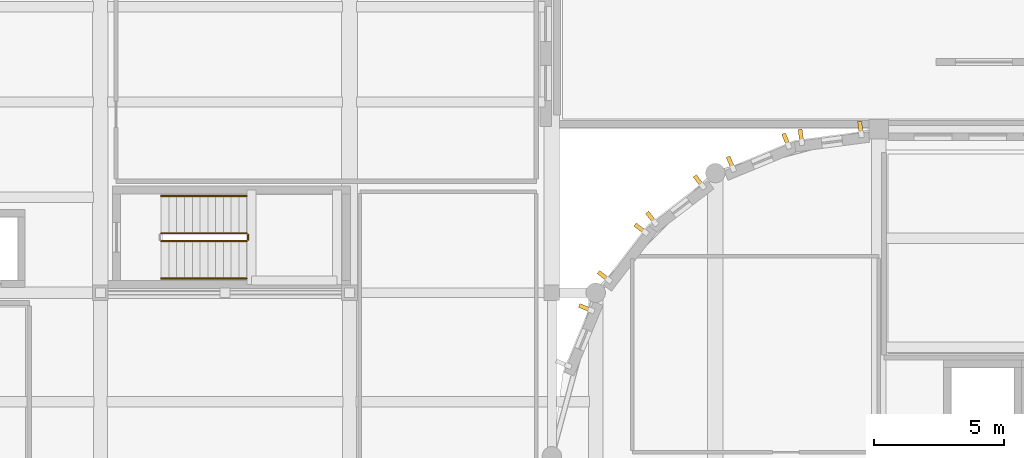
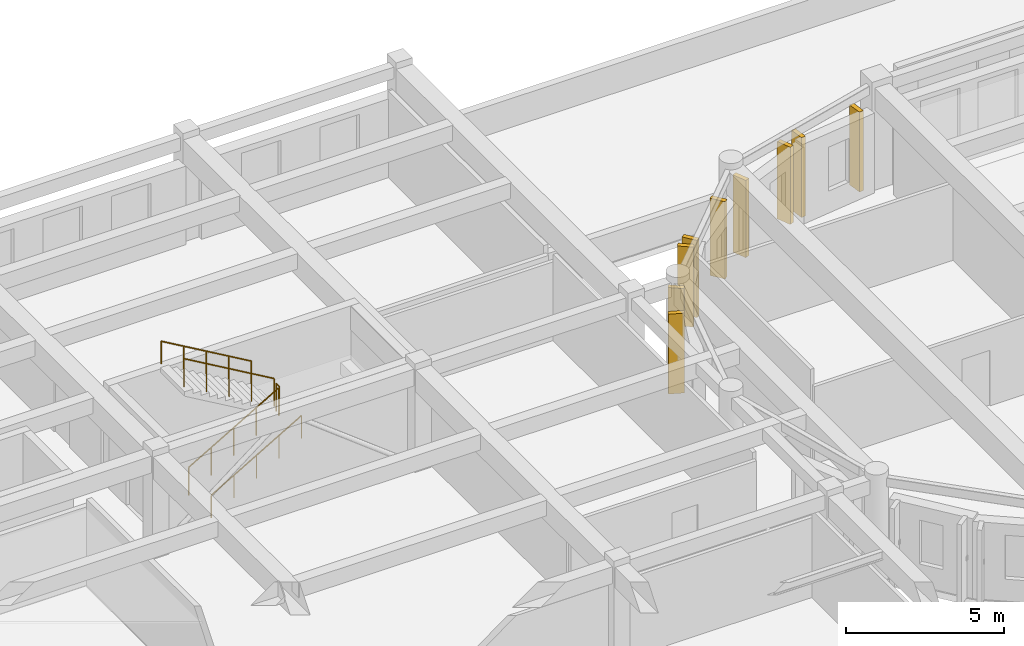
# One storey, part 40 of 46: 9 coverings, 5 railings.
"""IFC4 building model written with IfcOpenShell, lengths in metres."""

from ifc_helpers import new_model, si_unit, direction, frame, origin, origin_2d, place, context, subcontext, project, spatial, rectangle, circle, extrude, material, layer, layer_set, type_object, element, save


model = new_model("IFC4")

# Units and contexts
model_context = context("Model", 3, precision=1e-05, world=origin(), true_north=direction((0.0, 1.0)))
body_context = subcontext(model_context, "Body", "Model", "MODEL_VIEW")
ifc_project = project(units=[si_unit("LENGTHUNIT", "METRE"), si_unit("AREAUNIT", "SQUARE_METRE"), si_unit("VOLUMEUNIT", "CUBIC_METRE"), si_unit("PLANEANGLEUNIT", "RADIAN"), si_unit("MASSUNIT", "GRAM", prefix="KILO")], contexts=[model_context])

# Site, building, storey
site_placement = place(None, origin())
site = spatial("IfcSite", under=ifc_project, at=site_placement, CompositionType="ELEMENT")
building_placement = place(site_placement, origin())
building = spatial("IfcBuilding", under=site, at=building_placement, Name="Tarnavel Promenade Courthouse", CompositionType="ELEMENT")
storey_placement = place(building_placement, frame((0.0, 0.0, 14.39990234375)))
storey = spatial("IfcBuildingStorey", under=building, at=storey_placement, Name="L04", CompositionType="ELEMENT", Elevation=14.39990234375)

# Railings
ifc_material_1 = material(Name="Brushed Bronze Tubular Stair Handrail")
railing_type_1 = type_object("IfcRailingType", Name="Brushed Bronze Tubular Stair Handrail (RL-HND-0900)", PredefinedType="HANDRAIL", material=ifc_material_1)
railing_1_placement = place(storey_placement, frame((31.139892578125, 98.64990234375, 0.175048828125)))
element("IfcRailing", 1, at=railing_1_placement, inside=storey, type_object=railing_type_1, Name="L04 ST-07 stair handrail 1", PredefinedType="HANDRAIL", context=body_context, shape_type="SweptSolid", body=[
    extrude(circle(Radius=0.02392578125, at=origin_2d()), frame((0.0, 0.0, 0.8759765625), z_axis=(0.863776583165, 0.0, 0.503874998761), x_axis=(0.0, 1.0, 0.0)), (0.0, 0.0, 1.0), 3.820556640625),
    extrude(circle(Radius=0.02099609375, at=origin_2d()), origin(), (0.0, 0.0, 1.0), 0.851806640625),
    extrude(circle(Radius=0.02099609375, at=origin_2d()), frame((0.824951171875, 0.0, 0.481201171875)), (0.0, 0.0, 1.0), 0.851806640625),
    extrude(circle(Radius=0.02099609375, at=origin_2d()), frame((1.64990234375, 0.0, 0.96240234375)), (0.0, 0.0, 1.0), 0.851806640625),
    extrude(circle(Radius=0.02099609375, at=origin_2d()), frame((2.47509765625, 0.0, 1.44384765625)), (0.0, 0.0, 1.0), 0.851806640625),
    extrude(circle(Radius=0.02099609375, at=origin_2d()), frame((3.300048828125, 0.0, 1.925048828125)), (0.0, 0.0, 1.0), 0.851806640625),
])
railing_2_placement = place(storey_placement, frame((34.43994140625, 101.830078125, 2.275146484375)))
element("IfcRailing", 2, at=railing_2_placement, inside=storey, type_object=railing_type_1, Name="L04 ST-07 stair handrail 2", PredefinedType="HANDRAIL", context=body_context, shape_type="SweptSolid", body=[
    extrude(circle(Radius=0.02392578125, at=origin_2d()), frame((0.0, 0.0, 0.8759765625), z_axis=(-0.863776583165, 0.0, 0.503874998761), x_axis=(0.0, -1.0, 0.0)), (0.0, 0.0, 1.0), 3.820556640625),
    extrude(circle(Radius=0.02099609375, at=origin_2d()), origin(), (0.0, 0.0, 1.0), 0.851806640625),
    extrude(circle(Radius=0.02099609375, at=origin_2d()), frame((-0.824951171875, 0.0, 0.481201171875)), (0.0, 0.0, 1.0), 0.851806640625),
    extrude(circle(Radius=0.02099609375, at=origin_2d()), frame((-1.64990234375, 0.0, 0.96240234375)), (0.0, 0.0, 1.0), 0.851806640625),
    extrude(circle(Radius=0.02099609375, at=origin_2d()), frame((-2.47509765625, 0.0, 1.44384765625)), (0.0, 0.0, 1.0), 0.851806640625),
    extrude(circle(Radius=0.02099609375, at=origin_2d()), frame((-3.300048828125, 0.0, 1.925048828125)), (0.0, 0.0, 1.0), 0.851806640625),
])
ifc_material_2 = material(Name="Painted Architectural Steel Core Stair Guardrail", Category="steel")
railing_type_2 = type_object("IfcRailingType", Name="Painted Architectural Steel Core Stair Guardrail (RL-GRD-1100)", PredefinedType="GUARDRAIL", material=ifc_material_2)
railing_3_placement = place(storey_placement, frame((31.139892578125, 100.090087890625, 0.175048828125)))
element("IfcRailing", 3, at=railing_3_placement, inside=storey, type_object=railing_type_2, Name="L04 ST-07 stair guard 1", PredefinedType="GUARDRAIL", context=body_context, shape_type="SweptSolid", body=[
    extrude(circle(Radius=0.02392578125, at=origin_2d()), frame((0.0, 0.0, 1.076171875), z_axis=(0.863776583165, 0.0, 0.503874998761), x_axis=(0.0, 1.0, 0.0)), (0.0, 0.0, 1.0), 3.820556640625),
    extrude(circle(Radius=0.02099609375, at=origin_2d()), origin(), (0.0, 0.0, 1.0), 1.052001953125),
    extrude(circle(Radius=0.02099609375, at=origin_2d()), frame((0.824951171875, 0.0, 0.481201171875)), (0.0, 0.0, 1.0), 1.052001953125),
    extrude(circle(Radius=0.02099609375, at=origin_2d()), frame((1.64990234375, 0.0, 0.96240234375)), (0.0, 0.0, 1.0), 1.052001953125),
    extrude(circle(Radius=0.02099609375, at=origin_2d()), frame((2.47509765625, 0.0, 1.44384765625)), (0.0, 0.0, 1.0), 1.052001953125),
    extrude(circle(Radius=0.02099609375, at=origin_2d()), frame((3.300048828125, 0.0, 1.925048828125)), (0.0, 0.0, 1.0), 1.052001953125),
])
railing_4_placement = place(storey_placement, frame((34.489990234375, 100.139892578125, 2.10009765625)))
element("IfcRailing", 4, at=railing_4_placement, inside=storey, type_object=railing_type_2, Name="L04 ST-07 stair guard 2", PredefinedType="GUARDRAIL", context=body_context, shape_type="SweptSolid", body=[
    extrude(circle(Radius=0.02392578125, at=origin_2d()), frame((0.0, 0.0, 1.076171875), z_axis=(0.0, 1.0, 0.0), x_axis=(-1.0, 0.0, 0.0)), (0.0, 0.0, 1.0), 0.2001953125),
    extrude(circle(Radius=0.02099609375, at=origin_2d()), origin(), (0.0, 0.0, 1.0), 1.052001953125),
    extrude(circle(Radius=0.02099609375, at=origin_2d()), frame((0.0, 0.2001953125, 0.0)), (0.0, 0.0, 1.0), 1.052001953125),
])
railing_5_placement = place(storey_placement, frame((34.43994140625, 100.389892578125, 2.275146484375)))
element("IfcRailing", 5, at=railing_5_placement, inside=storey, type_object=railing_type_2, Name="L04 ST-07 stair guard 3", PredefinedType="GUARDRAIL", context=body_context, shape_type="SweptSolid", body=[
    extrude(circle(Radius=0.02392578125, at=origin_2d()), frame((0.0, 0.0, 1.076171875), z_axis=(-0.863776583165, 0.0, 0.503874998761), x_axis=(0.0, -1.0, 0.0)), (0.0, 0.0, 1.0), 3.820556640625),
    extrude(circle(Radius=0.02099609375, at=origin_2d()), origin(), (0.0, 0.0, 1.0), 1.052001953125),
    extrude(circle(Radius=0.02099609375, at=origin_2d()), frame((-0.824951171875, 0.0, 0.481201171875)), (0.0, 0.0, 1.0), 1.052001953125),
    extrude(circle(Radius=0.02099609375, at=origin_2d()), frame((-1.64990234375, 0.0, 0.96240234375)), (0.0, 0.0, 1.0), 1.052001953125),
    extrude(circle(Radius=0.02099609375, at=origin_2d()), frame((-2.47509765625, 0.0, 1.44384765625)), (0.0, 0.0, 1.0), 1.052001953125),
    extrude(circle(Radius=0.02099609375, at=origin_2d()), frame((-3.300048828125, 0.0, 1.925048828125)), (0.0, 0.0, 1.0), 1.052001953125),
])

# Coverings
ifc_material_3 = material(Name="Patinated Copper-Bronze Fluted Pier Cladding")
ifc_layer = layer(ifc_material_3, 0.52001953125)
ifc_layer_set = layer_set([ifc_layer], Name="Patinated Copper-Bronze Fluted Pier Cladding")
covering_type = type_object("IfcCoveringType", Name="Patinated Copper-Bronze Fluted Pier Cladding COV-PIER-520 (520 mm)", PredefinedType="CLADDING", material=ifc_layer_set)
for number, where, z_axis, x_axis, name in (
    (6, (58.0927734375, 104.447998046875, 0.0), (0.0, 0.0, 1.0), (-0.991444861374, -0.13052619222, 0.0), "L04 W Drum Fluted Copper Pier 0091"),
    (7, (55.798095703125, 104.14599609375, 0.0), (0.0, 0.0, 1.0), (-0.991444861374, -0.13052619222, 0.0), "L04 W Drum Fluted Copper Pier 0092"),
):
    element("IfcCovering", number, at=place(storey_placement, frame(where, z_axis=z_axis, x_axis=x_axis)), inside=storey, type_object=covering_type, Name=name, PredefinedType="CLADDING", context=body_context, shape_type="SweptSolid", body=[
        extrude(rectangle(XDim=0.159912109375, YDim=0.52001953125, at=origin_2d()), origin(), (0.0, 0.0, 1.0), 3.090087890625),
    ])
for number, where, z_axis, x_axis, name in (
    (8, (55.2265625, 103.992919921875, 0.0), (0.0, 0.0, 1.0), (-0.923879532511, -0.382683432365, 0.0), "L04 W Drum Fluted Copper Pier 0093"),
    (9, (53.08837890625, 103.107177734375, 0.0), (0.0, 0.0, 1.0), (-0.923879532511, -0.382683432365, 0.0), "L04 W Drum Fluted Copper Pier 0094"),
    (10, (51.86328125, 102.39990234375, 0.0), (0.0, 0.0, 1.0), (-0.793353340291, -0.608761429009, 0.0), "L04 W Drum Fluted Copper Pier 0095"),
    (11, (50.02734375, 100.9912109375, 0.0), (0.0, 0.0, 1.0), (-0.793353340291, -0.608761429009, 0.0), "L04 W Drum Fluted Copper Pier 0096"),
):
    element("IfcCovering", number, at=place(storey_placement, frame(where, z_axis=z_axis, x_axis=x_axis)), inside=storey, type_object=covering_type, Name=name, PredefinedType="CLADDING", context=body_context, shape_type="SweptSolid", body=[
        extrude(rectangle(XDim=0.159912109375, YDim=0.52001953125, at=origin_2d()), origin(), (0.0, 0.0, 1.0), 2.989990234375),
    ])
for number, where, z_axis, x_axis, name in (
    (12, (49.60888671875, 100.572509765625, 0.0), (0.0, 0.0, 1.0), (-0.608761429009, -0.793353340291, 0.0), "L04 W Drum Fluted Copper Pier 0097"),
    (13, (48.2001953125, 98.736572265625, 0.0), (0.0, 0.0, 1.0), (-0.608761429009, -0.793353340291, 0.0), "L04 W Drum Fluted Copper Pier 0098"),
    (14, (47.492919921875, 97.511474609375, 0.0), (0.0, 0.0, 1.0), (-0.382683432365, -0.923879532511, 0.0), "L04 W Drum Fluted Copper Pier 0099"),
):
    element("IfcCovering", number, at=place(storey_placement, frame(where, z_axis=z_axis, x_axis=x_axis)), inside=storey, type_object=covering_type, Name=name, PredefinedType="CLADDING", context=body_context, shape_type="SweptSolid", body=[
        extrude(rectangle(XDim=0.159912109375, YDim=0.52001953125, at=origin_2d()), origin(), (0.0, 0.0, 1.0), 3.090087890625),
    ])

save(model, "model.ifc")
